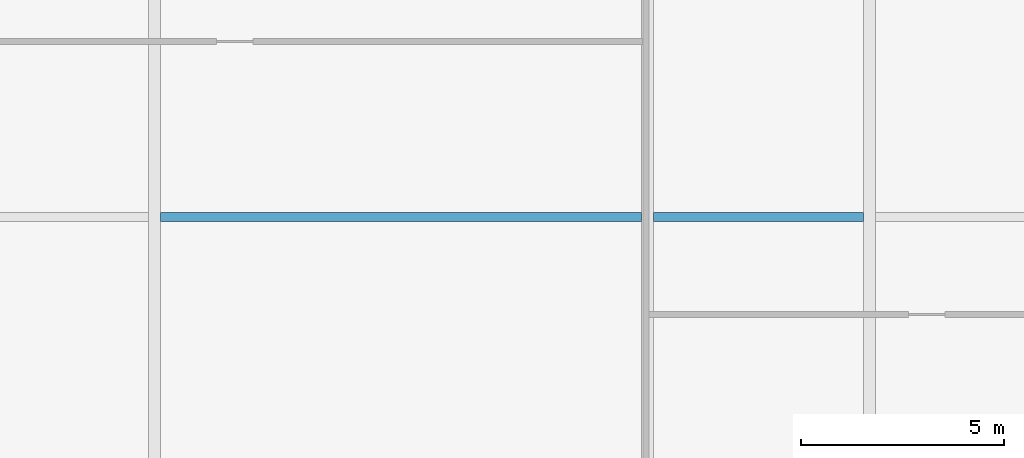
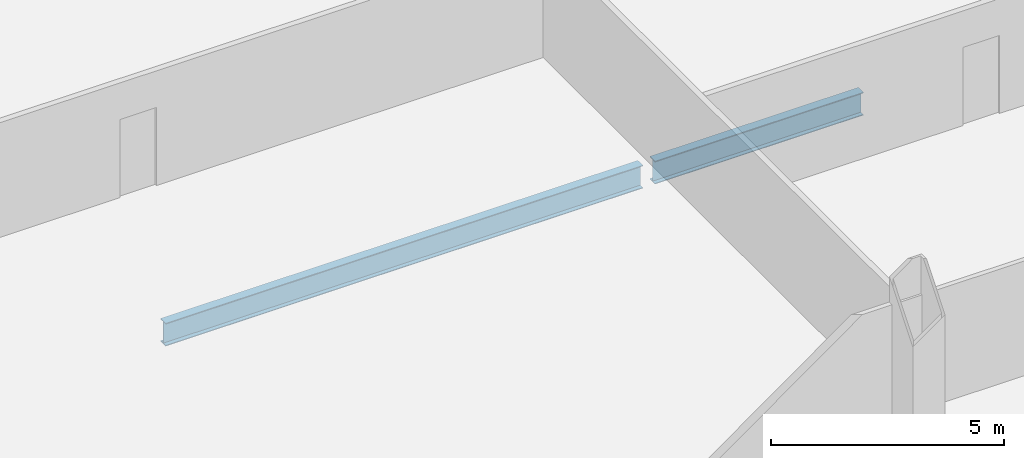
# One storey, part 13 of 33: 2 beams.
"""IFC4 building model written with IfcOpenShell, lengths in metres."""

from ifc_helpers import new_model, si_unit, direction, frame, origin, origin_2d, place, context, subcontext, project, spatial, i_section, extrude, material, material_profile, profile_set, type_object, element, save


model = new_model("IFC4")

# Units and contexts
model_context = context("Model", 3, precision=1e-05, world=origin(), true_north=direction((0.0, 1.0)))
body_context = subcontext(model_context, "Body", "Model", "MODEL_VIEW")
ifc_project = project(units=[si_unit("LENGTHUNIT", "METRE"), si_unit("AREAUNIT", "SQUARE_METRE"), si_unit("VOLUMEUNIT", "CUBIC_METRE"), si_unit("PLANEANGLEUNIT", "RADIAN"), si_unit("MASSUNIT", "GRAM", prefix="KILO")], contexts=[model_context])

# Site, building, storey
site_placement = place(None, origin())
site = spatial("IfcSite", under=ifc_project, at=site_placement, CompositionType="ELEMENT")
building_placement = place(site_placement, origin())
building = spatial("IfcBuilding", under=site, at=building_placement, Name="Khoronbel Lancet Exchange", CompositionType="ELEMENT")
storey_placement = place(building_placement, frame((0.0, 0.0, 33.800048828125)))
storey = spatial("IfcBuildingStorey", under=building, at=storey_placement, Name="L07", CompositionType="ELEMENT", Elevation=33.800048828125)

# Beams
ifc_material = material(Name="Steel S355", Category="steel")
ifc_material_profile = material_profile(ifc_material, i_section(OverallWidth=0.219970703125, OverallDepth=0.60009765625, WebThickness=0.011962890625, FlangeThickness=0.01904296875, at=origin_2d()), Name="IPE 600")
ifc_profile_set = profile_set([ifc_material_profile], Name="Steel S355")
beam_type = type_object("IfcBeamType", Name="BM-BJ1", PredefinedType="JOIST", material=ifc_profile_set)
beam_1_placement = place(storey_placement, frame((30.52490234375, 21.800048828125, -0.47998046875), z_axis=(1.0, 0.0, 0.0), x_axis=(0.0, 1.0, 0.0)))
element("IfcBeam", 1, at=beam_1_placement, inside=storey, type_object=beam_type, Name="Level L07 secondary composite joist J08", PredefinedType="JOIST", context=body_context, shape_type="SweptSolid", body=[
    extrude(i_section(OverallWidth=0.219970703125, OverallDepth=0.60009765625, WebThickness=0.011962890625, FlangeThickness=0.01904296875, at=origin_2d()), origin(), (0.0, 0.0, 1.0), 11.85009765625),
])
beam_2_placement = place(storey_placement, frame((42.675048828125, 21.800048828125, -0.47998046875), z_axis=(1.0, 0.0, 0.0), x_axis=(0.0, 1.0, 0.0)))
element("IfcBeam", 2, at=beam_2_placement, inside=storey, type_object=beam_type, Name="Level L07 secondary composite joist J09", PredefinedType="JOIST", context=body_context, shape_type="SweptSolid", body=[
    extrude(i_section(OverallWidth=0.219970703125, OverallDepth=0.60009765625, WebThickness=0.011962890625, FlangeThickness=0.01904296875, at=origin_2d()), origin(), (0.0, 0.0, 1.0), 5.175048828125),
])

save(model, "model.ifc")
